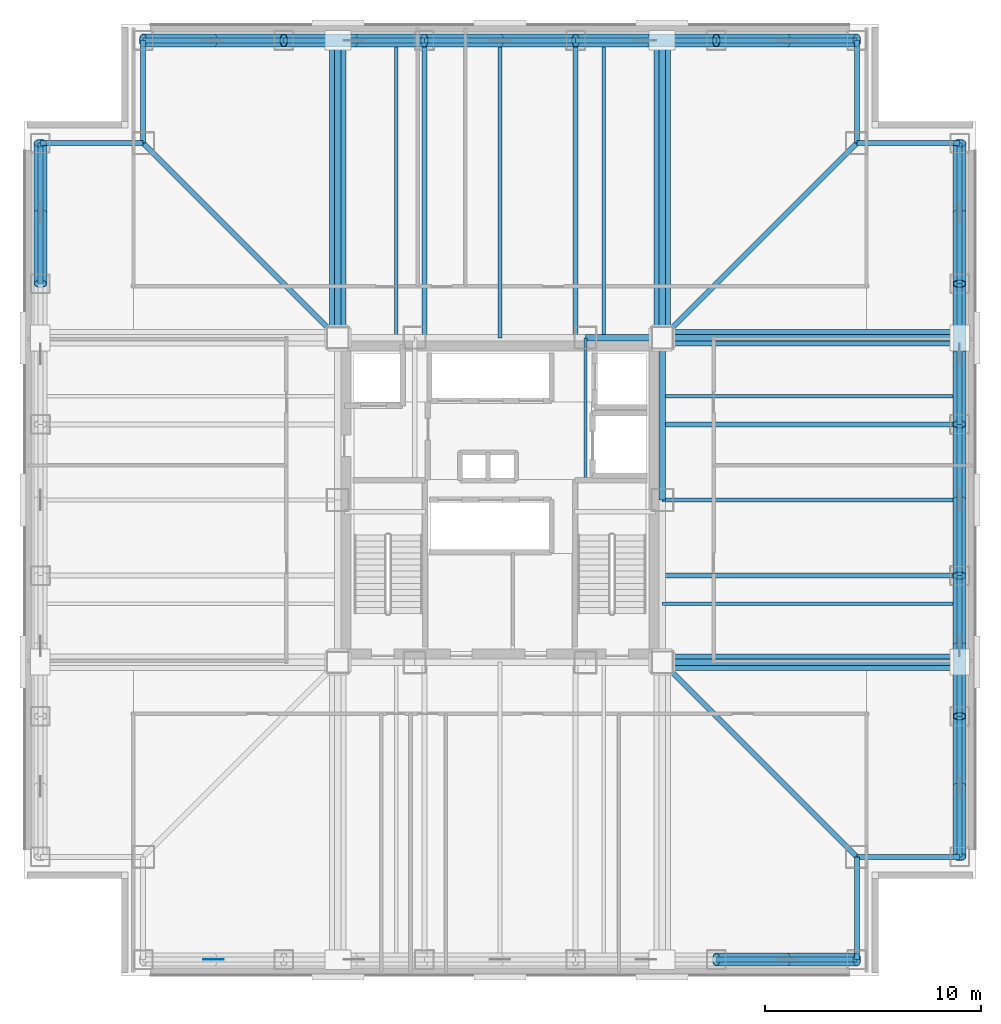
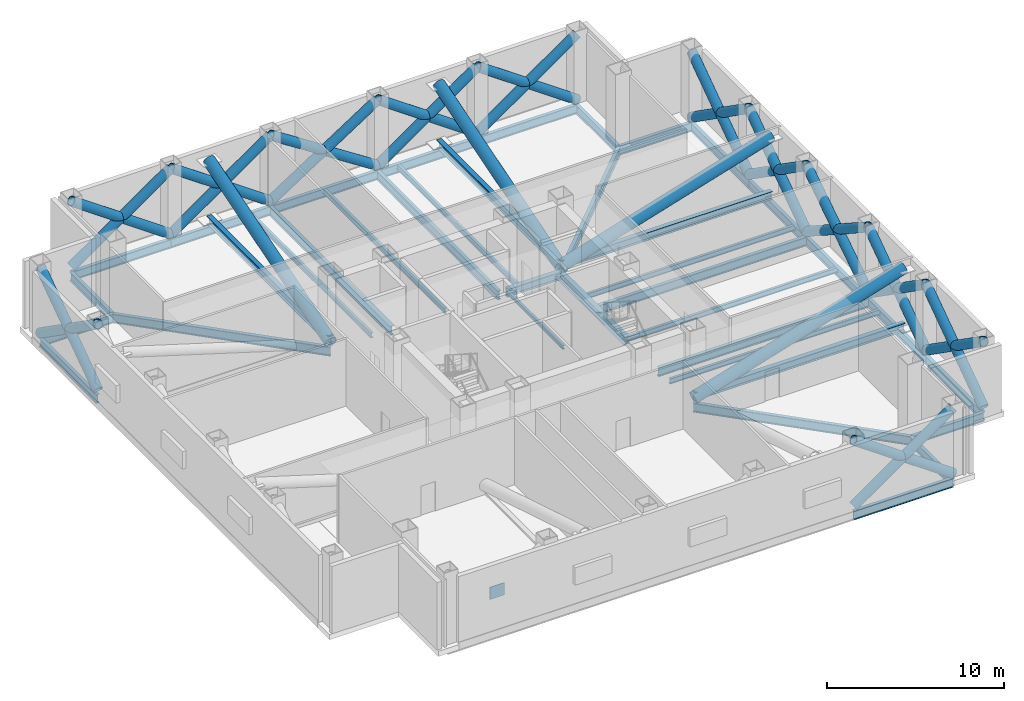
# One storey, part 2 of 8: 44 members, 34 beams, 1 plate.
"""IFC4 building model written with IfcOpenShell, lengths in metres."""

from ifc_helpers import new_model, si_unit, direction, frame, origin, origin_2d, place, context, subcontext, project, spatial, rectangle, hollow_circle, i_section, extrude, material, layer, layer_set, material_profile, profile_set, type_object, element, save


model = new_model("IFC4")

# Units and contexts
model_context = context("Model", 3, precision=1e-05, world=origin(), true_north=direction((0.0, 1.0)))
body_context = subcontext(model_context, "Body", "Model", "MODEL_VIEW")
ifc_project = project(units=[si_unit("LENGTHUNIT", "METRE"), si_unit("AREAUNIT", "SQUARE_METRE"), si_unit("VOLUMEUNIT", "CUBIC_METRE"), si_unit("PLANEANGLEUNIT", "RADIAN"), si_unit("MASSUNIT", "GRAM", prefix="KILO")], contexts=[model_context])

# Site, building, storey
site_placement = place(None, origin())
site = spatial("IfcSite", under=ifc_project, at=site_placement, CompositionType="ELEMENT")
building_placement = place(site_placement, origin())
building = spatial("IfcBuilding", under=site, at=building_placement, Name="Trevonay Congress Spire", CompositionType="ELEMENT")
storey_placement = place(building_placement, frame((0.0, 0.0, 155.199951171875)))
storey = spatial("IfcBuildingStorey", under=building, at=storey_placement, Name="L40", CompositionType="ELEMENT", Elevation=155.199951171875)

# Beams
ifc_material = material(Name="Steel ASTM A572 Grade 50", Category="steel")
ifc_material_profile_1 = material_profile(ifc_material, i_section(OverallWidth=0.31201171875, OverallDepth=0.54296875, WebThickness=0.0126953125, FlangeThickness=0.020263671875, FilletRadius=0.014892578125, at=origin_2d()), Name="W530x150")
ifc_profile_set_1 = profile_set([ifc_material_profile_1], Name="Steel ASTM A572 Grade 50")
beam_type_1 = type_object("IfcBeamType", Name="BM-GIRD-W530X150", PredefinedType="BEAM", material=ifc_profile_set_1)
beam_1_placement = place(storey_placement, frame((3.949951171875, 7.5, -0.621337890625), z_axis=(1.0, 0.0, 0.0), x_axis=(0.0, 1.0, 0.0)))
element("IfcBeam", 1, at=beam_1_placement, inside=storey, type_object=beam_type_1, Name="L40 structural beam BM-L40-CR-N3", PredefinedType="BEAM", context=body_context, shape_type="SweptSolid", body=[
    extrude(i_section(OverallWidth=0.31201171875, OverallDepth=0.54296875, WebThickness=0.0126953125, FlangeThickness=0.020263671875, FilletRadius=0.014892578125, at=origin_2d()), origin(), (0.0, 0.0, 1.0), 3.550048828125),
])
beam_2_placement = place(storey_placement, frame((7.5, 0.0, -0.621337890625), z_axis=(0.0, 1.0, 0.0), x_axis=(-1.0, 0.0, 0.0)))
element("IfcBeam", 2, at=beam_2_placement, inside=storey, type_object=beam_type_1, Name="L40 structural beam BM-L40-CR-E2", PredefinedType="BEAM", context=body_context, shape_type="SweptSolid", body=[
    extrude(i_section(OverallWidth=0.31201171875, OverallDepth=0.54296875, WebThickness=0.0126953125, FlangeThickness=0.020263671875, FilletRadius=0.014892578125, at=origin_2d()), origin(), (0.0, 0.0, 1.0), 7.5),
])
ifc_material_profile_2 = material_profile(ifc_material, i_section(OverallWidth=0.22998046875, OverallDepth=0.616943359375, WebThickness=0.01318359375, FlangeThickness=0.022216796875, FilletRadius=0.01611328125, at=origin_2d()), Name="W610x140")
ifc_profile_set_2 = profile_set([ifc_material_profile_2], Name="Steel ASTM A572 Grade 50")
beam_type_2 = type_object("IfcBeamType", Name="BM-GIRD-W610X140", PredefinedType="BEAM", material=ifc_profile_set_2)
for number, where, z_axis, x_axis, name in (
    (3, (7.5, -7.5, -0.658447265625), (0.707106781187, -0.707106781187, 0.0), (0.707106781187, 0.707106781187, 0.0), "L40 structural beam BM-L40-CDSE"),
    (4, (7.5, 7.5, -0.658447265625), (0.707106781187, 0.707106781187, 0.0), (-0.707106781187, 0.707106781187, 0.0), "L40 structural beam BM-L40-CDNE"),
    (5, (-7.5, 7.5, -0.658447265625), (-0.707106781187, 0.707106781187, 0.0), (-0.707106781187, -0.707106781187, 0.0), "L40 structural beam BM-L40-CDNW"),
):
    element("IfcBeam", number, at=place(storey_placement, frame(where, z_axis=z_axis, x_axis=x_axis)), inside=storey, type_object=beam_type_2, Name=name, PredefinedType="BEAM", context=body_context, shape_type="SweptSolid", body=[
        extrude(i_section(OverallWidth=0.22998046875, OverallDepth=0.616943359375, WebThickness=0.01318359375, FlangeThickness=0.022216796875, FilletRadius=0.01611328125, at=origin_2d()), origin(), (0.0, 0.0, 1.0), 12.72802734375),
    ])
for number, where, z_axis, x_axis, name in (
    (6, (-3.5, 7.5, -0.658447265625), (0.0, 1.0, 0.0), (-1.0, 0.0, 0.0), "L40 structural beam BM-L40-GN-M"),
    (7, (7.5, -3.5, -0.658447265625), (1.0, 0.0, 0.0), (0.0, 1.0, 0.0), "L40 structural beam BM-L40-GE-M"),
    (8, (3.5, 7.5, -0.658447265625), (0.0, 1.0, 0.0), (-1.0, 0.0, 0.0), "L40 structural beam BM-L40-GN-P"),
    (9, (7.5, 3.5, -0.658447265625), (1.0, 0.0, 0.0), (0.0, 1.0, 0.0), "L40 structural beam BM-L40-GE-P"),
):
    element("IfcBeam", number, at=place(storey_placement, frame(where, z_axis=z_axis, x_axis=x_axis)), inside=storey, type_object=beam_type_2, Name=name, PredefinedType="BEAM", context=body_context, shape_type="SweptSolid", body=[
        extrude(i_section(OverallWidth=0.22998046875, OverallDepth=0.616943359375, WebThickness=0.01318359375, FlangeThickness=0.022216796875, FilletRadius=0.01611328125, at=origin_2d()), origin(), (0.0, 0.0, 1.0), 13.75),
    ])
ifc_material_profile_3 = material_profile(ifc_material, i_section(OverallWidth=0.22802734375, OverallDepth=0.60791015625, WebThickness=0.01123046875, FlangeThickness=0.017333984375, FilletRadius=0.01611328125, at=origin_2d()), Name="W610x113")
ifc_profile_set_3 = profile_set([ifc_material_profile_3], Name="Steel ASTM A572 Grade 50")
beam_type_3 = type_object("IfcBeamType", Name="BM-RING-W610X113", PredefinedType="BEAM", material=ifc_profile_set_3)
for number, where, z_axis, x_axis, name in (
    (10, (-16.5, 21.25, -0.654052734375), (1.0, 0.0, 0.0), (0.0, 1.0, 0.0), "L40 structural beam BM-L40-PN1"),
    (11, (21.25, -16.5, -0.654052734375), (0.0, 1.0, 0.0), (-1.0, 0.0, 0.0), "L40 structural beam BM-L40-PE1"),
    (12, (-10.0, 21.25, -0.654052734375), (1.0, 0.0, 0.0), (0.0, 1.0, 0.0), "L40 structural beam BM-L40-PN2"),
    (13, (21.25, -10.0, -0.654052734375), (0.0, 1.0, 0.0), (-1.0, 0.0, 0.0), "L40 structural beam BM-L40-PE2"),
):
    element("IfcBeam", number, at=place(storey_placement, frame(where, z_axis=z_axis, x_axis=x_axis)), inside=storey, type_object=beam_type_3, Name=name, PredefinedType="BEAM", context=body_context, shape_type="SweptSolid", body=[
        extrude(i_section(OverallWidth=0.22802734375, OverallDepth=0.60791015625, WebThickness=0.01123046875, FlangeThickness=0.017333984375, FilletRadius=0.01611328125, at=origin_2d()), origin(), (0.0, 0.0, 1.0), 6.5),
    ])
for number, where, z_axis, x_axis, name in (
    (14, (-3.5, 21.25, -0.654052734375), (1.0, 0.0, 0.0), (0.0, 1.0, 0.0), "L40 structural beam BM-L40-PN3"),
    (15, (21.25, -3.5, -0.654052734375), (0.0, 1.0, 0.0), (-1.0, 0.0, 0.0), "L40 structural beam BM-L40-PE3"),
):
    element("IfcBeam", number, at=place(storey_placement, frame(where, z_axis=z_axis, x_axis=x_axis)), inside=storey, type_object=beam_type_3, Name=name, PredefinedType="BEAM", context=body_context, shape_type="SweptSolid", body=[
        extrude(i_section(OverallWidth=0.22802734375, OverallDepth=0.60791015625, WebThickness=0.01123046875, FlangeThickness=0.017333984375, FilletRadius=0.01611328125, at=origin_2d()), origin(), (0.0, 0.0, 1.0), 7.0),
    ])
for number, where, z_axis, x_axis, name in (
    (16, (3.5, 21.25, -0.654052734375), (1.0, 0.0, 0.0), (0.0, 1.0, 0.0), "L40 structural beam BM-L40-PN4"),
    (17, (21.25, 3.5, -0.654052734375), (0.0, 1.0, 0.0), (-1.0, 0.0, 0.0), "L40 structural beam BM-L40-PE4"),
    (18, (10.0, -21.25, -0.654052734375), (1.0, 0.0, 0.0), (0.0, 1.0, 0.0), "L40 structural beam BM-L40-PS5"),
    (19, (10.0, 21.25, -0.654052734375), (1.0, 0.0, 0.0), (0.0, 1.0, 0.0), "L40 structural beam BM-L40-PN5"),
    (20, (-21.25, 10.0, -0.654052734375), (0.0, 1.0, 0.0), (-1.0, 0.0, 0.0), "L40 structural beam BM-L40-PW5"),
    (21, (21.25, 10.0, -0.654052734375), (0.0, 1.0, 0.0), (-1.0, 0.0, 0.0), "L40 structural beam BM-L40-PE5"),
):
    element("IfcBeam", number, at=place(storey_placement, frame(where, z_axis=z_axis, x_axis=x_axis)), inside=storey, type_object=beam_type_3, Name=name, PredefinedType="BEAM", context=body_context, shape_type="SweptSolid", body=[
        extrude(i_section(OverallWidth=0.22802734375, OverallDepth=0.60791015625, WebThickness=0.01123046875, FlangeThickness=0.017333984375, FilletRadius=0.01611328125, at=origin_2d()), origin(), (0.0, 0.0, 1.0), 6.5),
    ])
for number, where, z_axis, x_axis, name in (
    (22, (16.5, -21.25, -0.654052734375), (0.0, 1.0, 0.0), (-1.0, 0.0, 0.0), "L40 structural beam BM-L40-N1SE"),
    (23, (21.25, -16.5, -0.654052734375), (-1.0, 0.0, 0.0), (0.0, -1.0, 0.0), "L40 structural beam BM-L40-N2SE"),
    (24, (16.5, 21.25, -0.654052734375), (0.0, -1.0, 0.0), (1.0, 0.0, 0.0), "L40 structural beam BM-L40-N1NE"),
    (25, (21.25, 16.5, -0.654052734375), (-1.0, 0.0, 0.0), (0.0, -1.0, 0.0), "L40 structural beam BM-L40-N2NE"),
    (26, (-16.5, 21.25, -0.654052734375), (0.0, -1.0, 0.0), (1.0, 0.0, 0.0), "L40 structural beam BM-L40-N1NW"),
    (27, (-21.25, 16.5, -0.654052734375), (1.0, 0.0, 0.0), (0.0, 1.0, 0.0), "L40 structural beam BM-L40-N2NW"),
):
    element("IfcBeam", number, at=place(storey_placement, frame(where, z_axis=z_axis, x_axis=x_axis)), inside=storey, type_object=beam_type_3, Name=name, PredefinedType="BEAM", context=body_context, shape_type="SweptSolid", body=[
        extrude(i_section(OverallWidth=0.22802734375, OverallDepth=0.60791015625, WebThickness=0.01123046875, FlangeThickness=0.017333984375, FilletRadius=0.01611328125, at=origin_2d()), origin(), (0.0, 0.0, 1.0), 4.75),
    ])
ifc_material_profile_4 = material_profile(ifc_material, i_section(OverallWidth=0.172119140625, OverallDepth=0.35791015625, WebThickness=0.0078125, FlangeThickness=0.01318359375, FilletRadius=0.011962890625, at=origin_2d()), Name="W360x57.8")
ifc_profile_set_4 = profile_set([ifc_material_profile_4], Name="Steel ASTM A572 Grade 50")
beam_type_4 = type_object("IfcBeamType", Name="JS-COMP-W360X57", PredefinedType="JOIST", material=ifc_profile_set_4)
for number, where, z_axis, x_axis, name in (
    (28, (-4.800048828125, 7.5, -0.529052734375), (0.0, 1.0, 0.0), (-1.0, 0.0, 0.0), "L40 structural beam JS-L40-NS-N1"),
    (29, (7.5, -4.800048828125, -0.529052734375), (1.0, 0.0, 0.0), (0.0, 1.0, 0.0), "L40 structural beam JS-L40-EW-E1"),
    (30, (0.0, 7.5, -0.529052734375), (0.0, 1.0, 0.0), (-1.0, 0.0, 0.0), "L40 structural beam JS-L40-NS-N2"),
    (31, (7.5, 0.0, -0.529052734375), (1.0, 0.0, 0.0), (0.0, 1.0, 0.0), "L40 structural beam JS-L40-EW-E2"),
    (32, (4.800048828125, 7.5, -0.529052734375), (0.0, 1.0, 0.0), (-1.0, 0.0, 0.0), "L40 structural beam JS-L40-NS-N3"),
    (33, (7.5, 4.800048828125, -0.529052734375), (1.0, 0.0, 0.0), (0.0, 1.0, 0.0), "L40 structural beam JS-L40-EW-E3"),
):
    element("IfcBeam", number, at=place(storey_placement, frame(where, z_axis=z_axis, x_axis=x_axis)), inside=storey, type_object=beam_type_4, Name=name, PredefinedType="JOIST", context=body_context, shape_type="SweptSolid", body=[
        extrude(i_section(OverallWidth=0.172119140625, OverallDepth=0.35791015625, WebThickness=0.0078125, FlangeThickness=0.01318359375, FilletRadius=0.011962890625, at=origin_2d()), origin(), (0.0, 0.0, 1.0), 13.75),
    ])
ifc_material_profile_5 = material_profile(ifc_material, i_section(OverallWidth=0.14794921875, OverallDepth=0.26611328125, WebThickness=0.007568359375, FlangeThickness=0.012939453125, FilletRadius=0.010009765625, at=origin_2d()), Name="W250x44.8")
ifc_profile_set_5 = profile_set([ifc_material_profile_5], Name="Steel ASTM A572 Grade 50")
beam_type_5 = type_object("IfcBeamType", Name="LN-DOOR-W250X45", PredefinedType="LINTEL", material=ifc_profile_set_5)
beam_3_placement = place(storey_placement, frame((3.949951171875, 1.0, -0.48291015625), z_axis=(0.0, 1.0, 0.0), x_axis=(-1.0, 0.0, 0.0)))
element("IfcBeam", 34, at=beam_3_placement, inside=storey, type_object=beam_type_5, Name="L40 structural beam LIN-L40-E", PredefinedType="LINTEL", context=body_context, shape_type="SweptSolid", body=[
    extrude(i_section(OverallWidth=0.14794921875, OverallDepth=0.26611328125, WebThickness=0.007568359375, FlangeThickness=0.012939453125, FilletRadius=0.010009765625, at=origin_2d()), origin(), (0.0, 0.0, 1.0), 6.5),
])

# Members
ifc_material_profile_6 = material_profile(ifc_material, i_section(OverallWidth=0.31201171875, OverallDepth=0.54296875, WebThickness=0.0126953125, FlangeThickness=0.020263671875, FilletRadius=0.014892578125, at=origin_2d()), Name="W530x150")
ifc_profile_set_6 = profile_set([ifc_material_profile_6], Name="Steel ASTM A572 Grade 50")
member_type_1 = type_object("IfcMemberType", Name="MBR-CHORD-HSS500", PredefinedType="CHORD", material=ifc_profile_set_6)
for number, where, z_axis, x_axis, name in (
    (35, (-7.5, 7.5, 0.10009765625), (0.0, 1.0, 0.0), (-1.0, 0.0, 0.0), "L40 outrigger bottom chord ON-W"),
    (36, (7.5, 7.5, 0.10009765625), (0.0, 1.0, 0.0), (-1.0, 0.0, 0.0), "L40 outrigger bottom chord ON-E"),
    (37, (7.5, -7.5, 0.10009765625), (1.0, 0.0, 0.0), (0.0, 1.0, 0.0), "L40 outrigger bottom chord OE-S"),
    (38, (7.5, 7.5, 0.10009765625), (1.0, 0.0, 0.0), (0.0, 1.0, 0.0), "L40 outrigger bottom chord OE-N"),
):
    element("IfcMember", number, at=place(storey_placement, frame(where, z_axis=z_axis, x_axis=x_axis)), inside=storey, type_object=member_type_1, Name=name, PredefinedType="CHORD", context=body_context, shape_type="SweptSolid", body=[
        extrude(i_section(OverallWidth=0.31201171875, OverallDepth=0.54296875, WebThickness=0.0126953125, FlangeThickness=0.020263671875, FilletRadius=0.014892578125, at=origin_2d()), origin(), (0.0, 0.0, 1.0), 13.75),
    ])
ifc_material_profile_7 = material_profile(ifc_material, hollow_circle(Radius=0.381103515625, WallThickness=0.0400390625, at=origin_2d()), Name="CHS 762x40")
ifc_profile_set_7 = profile_set([ifc_material_profile_7], Name="Steel ASTM A572 Grade 50")
member_type_2 = type_object("IfcMemberType", Name="MBR-OUTRIG-CHS762", PredefinedType="BRACE", material=ifc_profile_set_7)
for number, where, z_axis, x_axis, name in (
    (39, (-7.5, 7.5, -0.050048828125), (0.0, 0.956374768731, 0.292142605136), (-1.0, 0.0, 0.0), "L40 outrigger diagonal ON-W"),
    (40, (7.5, 7.5, -0.050048828125), (0.0, 0.956374768731, 0.292142605136), (-1.0, 0.0, 0.0), "L40 outrigger diagonal ON-E"),
    (41, (7.5, -7.5, -0.050048828125), (0.956374768731, 0.0, 0.292142605136), (0.0, 1.0, 0.0), "L40 outrigger diagonal OE-S"),
    (42, (7.5, 7.5, -0.050048828125), (0.956374768731, 0.0, 0.292142605136), (0.0, 1.0, 0.0), "L40 outrigger diagonal OE-N"),
):
    element("IfcMember", number, at=place(storey_placement, frame(where, z_axis=z_axis, x_axis=x_axis)), inside=storey, type_object=member_type_2, Name=name, PredefinedType="BRACE", context=body_context, shape_type="SweptSolid", body=[
        extrude(hollow_circle(Radius=0.381103515625, WallThickness=0.0400390625, at=origin_2d()), origin(), (0.0, 0.0, 1.0), 14.377197265625),
    ])
ifc_material_profile_8 = material_profile(ifc_material, hollow_circle(Radius=0.304931640625, WallThickness=0.031982421875, at=origin_2d()), Name="CHS 610x32")
ifc_profile_set_8 = profile_set([ifc_material_profile_8], Name="Steel ASTM A572 Grade 50")
member_type_3 = type_object("IfcMemberType", Name="MBR-TUBE-CHS610", PredefinedType="BRACE", material=ifc_profile_set_8)
member_1_placement = place(storey_placement, frame((10.0, -21.25, -0.050048828125), z_axis=(0.819229029338, 0.0, 0.5734664746), x_axis=(0.0, 1.0, 0.0)))
element("IfcMember", 43, at=member_1_placement, inside=storey, type_object=member_type_3, Name="L40 continuous belt truss diagonal S4-1", PredefinedType="BRACE", context=body_context, shape_type="SweptSolid", body=[
    extrude(hollow_circle(Radius=0.304931640625, WallThickness=0.031982421875, at=origin_2d()), origin(), (0.0, 0.0, 1.0), 7.934326171875),
])
member_2_placement = place(storey_placement, frame((10.0, -21.25, 4.5), z_axis=(0.819243485241, 0.0, -0.573445822977), x_axis=(0.0, 1.0, 0.0)))
element("IfcMember", 44, at=member_2_placement, inside=storey, type_object=member_type_3, Name="L40 split belt truss diagonal segment S4-2A", PredefinedType="BRACE", context=body_context, shape_type="SweptSolid", body=[
    extrude(hollow_circle(Radius=0.304931640625, WallThickness=0.031982421875, at=origin_2d()), origin(), (0.0, 0.0, 1.0), 3.967041015625),
])
member_3_placement = place(storey_placement, frame((13.25, -21.25, 2.22509765625), z_axis=(0.819214573424, 0.0, -0.57348712513), x_axis=(0.0, 1.0, 0.0)))
element("IfcMember", 45, at=member_3_placement, inside=storey, type_object=member_type_3, Name="L40 split belt truss diagonal segment S4-2B", PredefinedType="BRACE", context=body_context, shape_type="SweptSolid", body=[
    extrude(hollow_circle(Radius=0.304931640625, WallThickness=0.031982421875, at=origin_2d()), origin(), (0.0, 0.0, 1.0), 3.96728515625),
])
member_4_placement = place(storey_placement, frame((-16.5, 21.25, -0.050048828125), z_axis=(0.819229029338, 0.0, 0.5734664746), x_axis=(0.0, 1.0, 0.0)))
element("IfcMember", 46, at=member_4_placement, inside=storey, type_object=member_type_3, Name="L40 continuous belt truss diagonal N0-1", PredefinedType="BRACE", context=body_context, shape_type="SweptSolid", body=[
    extrude(hollow_circle(Radius=0.304931640625, WallThickness=0.031982421875, at=origin_2d()), origin(), (0.0, 0.0, 1.0), 7.934326171875),
])
member_5_placement = place(storey_placement, frame((-16.5, 21.25, 4.5), z_axis=(0.819243485241, 0.0, -0.573445822977), x_axis=(0.0, 1.0, 0.0)))
element("IfcMember", 47, at=member_5_placement, inside=storey, type_object=member_type_3, Name="L40 split belt truss diagonal segment N0-2A", PredefinedType="BRACE", context=body_context, shape_type="SweptSolid", body=[
    extrude(hollow_circle(Radius=0.304931640625, WallThickness=0.031982421875, at=origin_2d()), origin(), (0.0, 0.0, 1.0), 3.967041015625),
])
member_6_placement = place(storey_placement, frame((-13.25, 21.25, 2.22509765625), z_axis=(0.819214573424, 0.0, -0.57348712513), x_axis=(0.0, 1.0, 0.0)))
element("IfcMember", 48, at=member_6_placement, inside=storey, type_object=member_type_3, Name="L40 split belt truss diagonal segment N0-2B", PredefinedType="BRACE", context=body_context, shape_type="SweptSolid", body=[
    extrude(hollow_circle(Radius=0.304931640625, WallThickness=0.031982421875, at=origin_2d()), origin(), (0.0, 0.0, 1.0), 3.96728515625),
])
member_7_placement = place(storey_placement, frame((-10.0, 21.25, -0.050048828125), z_axis=(0.819229029338, 0.0, 0.5734664746), x_axis=(0.0, 1.0, 0.0)))
element("IfcMember", 49, at=member_7_placement, inside=storey, type_object=member_type_3, Name="L40 continuous belt truss diagonal N1-1", PredefinedType="BRACE", context=body_context, shape_type="SweptSolid", body=[
    extrude(hollow_circle(Radius=0.304931640625, WallThickness=0.031982421875, at=origin_2d()), origin(), (0.0, 0.0, 1.0), 7.934326171875),
])
member_8_placement = place(storey_placement, frame((-10.0, 21.25, 4.5), z_axis=(0.819243485241, 0.0, -0.573445822977), x_axis=(0.0, 1.0, 0.0)))
element("IfcMember", 50, at=member_8_placement, inside=storey, type_object=member_type_3, Name="L40 split belt truss diagonal segment N1-2A", PredefinedType="BRACE", context=body_context, shape_type="SweptSolid", body=[
    extrude(hollow_circle(Radius=0.304931640625, WallThickness=0.031982421875, at=origin_2d()), origin(), (0.0, 0.0, 1.0), 3.967041015625),
])
member_9_placement = place(storey_placement, frame((-6.75, 21.25, 2.22509765625), z_axis=(0.819214573424, 0.0, -0.57348712513), x_axis=(0.0, 1.0, 0.0)))
element("IfcMember", 51, at=member_9_placement, inside=storey, type_object=member_type_3, Name="L40 split belt truss diagonal segment N1-2B", PredefinedType="BRACE", context=body_context, shape_type="SweptSolid", body=[
    extrude(hollow_circle(Radius=0.304931640625, WallThickness=0.031982421875, at=origin_2d()), origin(), (0.0, 0.0, 1.0), 3.96728515625),
])
member_10_placement = place(storey_placement, frame((-3.5, 21.25, -0.050048828125), z_axis=(0.838440943865, 0.0, 0.544992462012), x_axis=(0.0, 1.0, 0.0)))
element("IfcMember", 52, at=member_10_placement, inside=storey, type_object=member_type_3, Name="L40 continuous belt truss diagonal N2-1", PredefinedType="BRACE", context=body_context, shape_type="SweptSolid", body=[
    extrude(hollow_circle(Radius=0.304931640625, WallThickness=0.031982421875, at=origin_2d()), origin(), (0.0, 0.0, 1.0), 8.348876953125),
])
member_11_placement = place(storey_placement, frame((-3.5, 21.25, 4.5), z_axis=(0.838454306011, 0.0, -0.544971904535), x_axis=(0.0, 1.0, 0.0)))
element("IfcMember", 53, at=member_11_placement, inside=storey, type_object=member_type_3, Name="L40 split belt truss diagonal segment N2-2A", PredefinedType="BRACE", context=body_context, shape_type="SweptSolid", body=[
    extrude(hollow_circle(Radius=0.304931640625, WallThickness=0.031982421875, at=origin_2d()), origin(), (0.0, 0.0, 1.0), 4.17431640625),
])
member_12_placement = place(storey_placement, frame((0.0, 21.25, 2.22509765625), z_axis=(0.838427581642, 0.0, -0.545013018507), x_axis=(0.0, 1.0, 0.0)))
element("IfcMember", 54, at=member_12_placement, inside=storey, type_object=member_type_3, Name="L40 split belt truss diagonal segment N2-2B", PredefinedType="BRACE", context=body_context, shape_type="SweptSolid", body=[
    extrude(hollow_circle(Radius=0.304931640625, WallThickness=0.031982421875, at=origin_2d()), origin(), (0.0, 0.0, 1.0), 4.174560546875),
])
member_13_placement = place(storey_placement, frame((3.5, 21.25, -0.050048828125), z_axis=(0.819229029338, 0.0, 0.5734664746), x_axis=(0.0, 1.0, 0.0)))
element("IfcMember", 55, at=member_13_placement, inside=storey, type_object=member_type_3, Name="L40 continuous belt truss diagonal N3-1", PredefinedType="BRACE", context=body_context, shape_type="SweptSolid", body=[
    extrude(hollow_circle(Radius=0.304931640625, WallThickness=0.031982421875, at=origin_2d()), origin(), (0.0, 0.0, 1.0), 7.934326171875),
])
member_14_placement = place(storey_placement, frame((3.5, 21.25, 4.5), z_axis=(0.819243485241, 0.0, -0.573445822977), x_axis=(0.0, 1.0, 0.0)))
element("IfcMember", 56, at=member_14_placement, inside=storey, type_object=member_type_3, Name="L40 split belt truss diagonal segment N3-2A", PredefinedType="BRACE", context=body_context, shape_type="SweptSolid", body=[
    extrude(hollow_circle(Radius=0.304931640625, WallThickness=0.031982421875, at=origin_2d()), origin(), (0.0, 0.0, 1.0), 3.967041015625),
])
member_15_placement = place(storey_placement, frame((6.75, 21.25, 2.22509765625), z_axis=(0.819214573424, 0.0, -0.57348712513), x_axis=(0.0, 1.0, 0.0)))
element("IfcMember", 57, at=member_15_placement, inside=storey, type_object=member_type_3, Name="L40 split belt truss diagonal segment N3-2B", PredefinedType="BRACE", context=body_context, shape_type="SweptSolid", body=[
    extrude(hollow_circle(Radius=0.304931640625, WallThickness=0.031982421875, at=origin_2d()), origin(), (0.0, 0.0, 1.0), 3.96728515625),
])
member_16_placement = place(storey_placement, frame((10.0, 21.25, -0.050048828125), z_axis=(0.819229029338, 0.0, 0.5734664746), x_axis=(0.0, 1.0, 0.0)))
element("IfcMember", 58, at=member_16_placement, inside=storey, type_object=member_type_3, Name="L40 continuous belt truss diagonal N4-1", PredefinedType="BRACE", context=body_context, shape_type="SweptSolid", body=[
    extrude(hollow_circle(Radius=0.304931640625, WallThickness=0.031982421875, at=origin_2d()), origin(), (0.0, 0.0, 1.0), 7.934326171875),
])
member_17_placement = place(storey_placement, frame((10.0, 21.25, 4.5), z_axis=(0.819243485241, 0.0, -0.573445822977), x_axis=(0.0, 1.0, 0.0)))
element("IfcMember", 59, at=member_17_placement, inside=storey, type_object=member_type_3, Name="L40 split belt truss diagonal segment N4-2A", PredefinedType="BRACE", context=body_context, shape_type="SweptSolid", body=[
    extrude(hollow_circle(Radius=0.304931640625, WallThickness=0.031982421875, at=origin_2d()), origin(), (0.0, 0.0, 1.0), 3.967041015625),
])
member_18_placement = place(storey_placement, frame((13.25, 21.25, 2.22509765625), z_axis=(0.819214573424, 0.0, -0.57348712513), x_axis=(0.0, 1.0, 0.0)))
element("IfcMember", 60, at=member_18_placement, inside=storey, type_object=member_type_3, Name="L40 split belt truss diagonal segment N4-2B", PredefinedType="BRACE", context=body_context, shape_type="SweptSolid", body=[
    extrude(hollow_circle(Radius=0.304931640625, WallThickness=0.031982421875, at=origin_2d()), origin(), (0.0, 0.0, 1.0), 3.96728515625),
])
member_19_placement = place(storey_placement, frame((-21.25, 10.0, -0.050048828125), z_axis=(0.0, 0.819229029338, 0.5734664746), x_axis=(-1.0, 0.0, 0.0)))
element("IfcMember", 61, at=member_19_placement, inside=storey, type_object=member_type_3, Name="L40 continuous belt truss diagonal W4-1", PredefinedType="BRACE", context=body_context, shape_type="SweptSolid", body=[
    extrude(hollow_circle(Radius=0.304931640625, WallThickness=0.031982421875, at=origin_2d()), origin(), (0.0, 0.0, 1.0), 7.934326171875),
])
member_20_placement = place(storey_placement, frame((-21.25, 10.0, 4.5), z_axis=(0.0, 0.819243485241, -0.573445822977), x_axis=(-1.0, 0.0, 0.0)))
element("IfcMember", 62, at=member_20_placement, inside=storey, type_object=member_type_3, Name="L40 split belt truss diagonal segment W4-2A", PredefinedType="BRACE", context=body_context, shape_type="SweptSolid", body=[
    extrude(hollow_circle(Radius=0.304931640625, WallThickness=0.031982421875, at=origin_2d()), origin(), (0.0, 0.0, 1.0), 3.967041015625),
])
member_21_placement = place(storey_placement, frame((-21.25, 13.25, 2.22509765625), z_axis=(0.0, 0.819214573424, -0.57348712513), x_axis=(-1.0, 0.0, 0.0)))
element("IfcMember", 63, at=member_21_placement, inside=storey, type_object=member_type_3, Name="L40 split belt truss diagonal segment W4-2B", PredefinedType="BRACE", context=body_context, shape_type="SweptSolid", body=[
    extrude(hollow_circle(Radius=0.304931640625, WallThickness=0.031982421875, at=origin_2d()), origin(), (0.0, 0.0, 1.0), 3.96728515625),
])
member_22_placement = place(storey_placement, frame((21.25, -16.5, -0.050048828125), z_axis=(0.0, 0.819229029338, 0.5734664746), x_axis=(-1.0, 0.0, 0.0)))
element("IfcMember", 64, at=member_22_placement, inside=storey, type_object=member_type_3, Name="L40 continuous belt truss diagonal E0-1", PredefinedType="BRACE", context=body_context, shape_type="SweptSolid", body=[
    extrude(hollow_circle(Radius=0.304931640625, WallThickness=0.031982421875, at=origin_2d()), origin(), (0.0, 0.0, 1.0), 7.934326171875),
])
member_23_placement = place(storey_placement, frame((21.25, -16.5, 4.5), z_axis=(0.0, 0.819243485241, -0.573445822977), x_axis=(-1.0, 0.0, 0.0)))
element("IfcMember", 65, at=member_23_placement, inside=storey, type_object=member_type_3, Name="L40 split belt truss diagonal segment E0-2A", PredefinedType="BRACE", context=body_context, shape_type="SweptSolid", body=[
    extrude(hollow_circle(Radius=0.304931640625, WallThickness=0.031982421875, at=origin_2d()), origin(), (0.0, 0.0, 1.0), 3.967041015625),
])
member_24_placement = place(storey_placement, frame((21.25, -13.25, 2.22509765625), z_axis=(0.0, 0.819214573424, -0.57348712513), x_axis=(-1.0, 0.0, 0.0)))
element("IfcMember", 66, at=member_24_placement, inside=storey, type_object=member_type_3, Name="L40 split belt truss diagonal segment E0-2B", PredefinedType="BRACE", context=body_context, shape_type="SweptSolid", body=[
    extrude(hollow_circle(Radius=0.304931640625, WallThickness=0.031982421875, at=origin_2d()), origin(), (0.0, 0.0, 1.0), 3.96728515625),
])
member_25_placement = place(storey_placement, frame((21.25, -10.0, -0.050048828125), z_axis=(0.0, 0.819229029338, 0.5734664746), x_axis=(-1.0, 0.0, 0.0)))
element("IfcMember", 67, at=member_25_placement, inside=storey, type_object=member_type_3, Name="L40 continuous belt truss diagonal E1-1", PredefinedType="BRACE", context=body_context, shape_type="SweptSolid", body=[
    extrude(hollow_circle(Radius=0.304931640625, WallThickness=0.031982421875, at=origin_2d()), origin(), (0.0, 0.0, 1.0), 7.934326171875),
])
member_26_placement = place(storey_placement, frame((21.25, -10.0, 4.5), z_axis=(0.0, 0.819243485241, -0.573445822977), x_axis=(-1.0, 0.0, 0.0)))
element("IfcMember", 68, at=member_26_placement, inside=storey, type_object=member_type_3, Name="L40 split belt truss diagonal segment E1-2A", PredefinedType="BRACE", context=body_context, shape_type="SweptSolid", body=[
    extrude(hollow_circle(Radius=0.304931640625, WallThickness=0.031982421875, at=origin_2d()), origin(), (0.0, 0.0, 1.0), 3.967041015625),
])
member_27_placement = place(storey_placement, frame((21.25, -6.75, 2.22509765625), z_axis=(0.0, 0.819214573424, -0.57348712513), x_axis=(-1.0, 0.0, 0.0)))
element("IfcMember", 69, at=member_27_placement, inside=storey, type_object=member_type_3, Name="L40 split belt truss diagonal segment E1-2B", PredefinedType="BRACE", context=body_context, shape_type="SweptSolid", body=[
    extrude(hollow_circle(Radius=0.304931640625, WallThickness=0.031982421875, at=origin_2d()), origin(), (0.0, 0.0, 1.0), 3.96728515625),
])
member_28_placement = place(storey_placement, frame((21.25, -3.5, -0.050048828125), z_axis=(0.0, 0.838440943865, 0.544992462012), x_axis=(-1.0, 0.0, 0.0)))
element("IfcMember", 70, at=member_28_placement, inside=storey, type_object=member_type_3, Name="L40 continuous belt truss diagonal E2-1", PredefinedType="BRACE", context=body_context, shape_type="SweptSolid", body=[
    extrude(hollow_circle(Radius=0.304931640625, WallThickness=0.031982421875, at=origin_2d()), origin(), (0.0, 0.0, 1.0), 8.348876953125),
])
member_29_placement = place(storey_placement, frame((21.25, -3.5, 4.5), z_axis=(0.0, 0.838454306011, -0.544971904535), x_axis=(-1.0, 0.0, 0.0)))
element("IfcMember", 71, at=member_29_placement, inside=storey, type_object=member_type_3, Name="L40 split belt truss diagonal segment E2-2A", PredefinedType="BRACE", context=body_context, shape_type="SweptSolid", body=[
    extrude(hollow_circle(Radius=0.304931640625, WallThickness=0.031982421875, at=origin_2d()), origin(), (0.0, 0.0, 1.0), 4.17431640625),
])
member_30_placement = place(storey_placement, frame((21.25, 0.0, 2.22509765625), z_axis=(0.0, 0.838427581642, -0.545013018507), x_axis=(-1.0, 0.0, 0.0)))
element("IfcMember", 72, at=member_30_placement, inside=storey, type_object=member_type_3, Name="L40 split belt truss diagonal segment E2-2B", PredefinedType="BRACE", context=body_context, shape_type="SweptSolid", body=[
    extrude(hollow_circle(Radius=0.304931640625, WallThickness=0.031982421875, at=origin_2d()), origin(), (0.0, 0.0, 1.0), 4.174560546875),
])
member_31_placement = place(storey_placement, frame((21.25, 3.5, -0.050048828125), z_axis=(0.0, 0.819229029338, 0.5734664746), x_axis=(-1.0, 0.0, 0.0)))
element("IfcMember", 73, at=member_31_placement, inside=storey, type_object=member_type_3, Name="L40 continuous belt truss diagonal E3-1", PredefinedType="BRACE", context=body_context, shape_type="SweptSolid", body=[
    extrude(hollow_circle(Radius=0.304931640625, WallThickness=0.031982421875, at=origin_2d()), origin(), (0.0, 0.0, 1.0), 7.934326171875),
])
member_32_placement = place(storey_placement, frame((21.25, 3.5, 4.5), z_axis=(0.0, 0.819243485241, -0.573445822977), x_axis=(-1.0, 0.0, 0.0)))
element("IfcMember", 74, at=member_32_placement, inside=storey, type_object=member_type_3, Name="L40 split belt truss diagonal segment E3-2A", PredefinedType="BRACE", context=body_context, shape_type="SweptSolid", body=[
    extrude(hollow_circle(Radius=0.304931640625, WallThickness=0.031982421875, at=origin_2d()), origin(), (0.0, 0.0, 1.0), 3.967041015625),
])
member_33_placement = place(storey_placement, frame((21.25, 6.75, 2.22509765625), z_axis=(0.0, 0.819214573424, -0.57348712513), x_axis=(-1.0, 0.0, 0.0)))
element("IfcMember", 75, at=member_33_placement, inside=storey, type_object=member_type_3, Name="L40 split belt truss diagonal segment E3-2B", PredefinedType="BRACE", context=body_context, shape_type="SweptSolid", body=[
    extrude(hollow_circle(Radius=0.304931640625, WallThickness=0.031982421875, at=origin_2d()), origin(), (0.0, 0.0, 1.0), 3.96728515625),
])
member_34_placement = place(storey_placement, frame((21.25, 10.0, -0.050048828125), z_axis=(0.0, 0.819229029338, 0.5734664746), x_axis=(-1.0, 0.0, 0.0)))
element("IfcMember", 76, at=member_34_placement, inside=storey, type_object=member_type_3, Name="L40 continuous belt truss diagonal E4-1", PredefinedType="BRACE", context=body_context, shape_type="SweptSolid", body=[
    extrude(hollow_circle(Radius=0.304931640625, WallThickness=0.031982421875, at=origin_2d()), origin(), (0.0, 0.0, 1.0), 7.934326171875),
])
member_35_placement = place(storey_placement, frame((21.25, 10.0, 4.5), z_axis=(0.0, 0.819243485241, -0.573445822977), x_axis=(-1.0, 0.0, 0.0)))
element("IfcMember", 77, at=member_35_placement, inside=storey, type_object=member_type_3, Name="L40 split belt truss diagonal segment E4-2A", PredefinedType="BRACE", context=body_context, shape_type="SweptSolid", body=[
    extrude(hollow_circle(Radius=0.304931640625, WallThickness=0.031982421875, at=origin_2d()), origin(), (0.0, 0.0, 1.0), 3.967041015625),
])
member_36_placement = place(storey_placement, frame((21.25, 13.25, 2.22509765625), z_axis=(0.0, 0.819214573424, -0.57348712513), x_axis=(-1.0, 0.0, 0.0)))
element("IfcMember", 78, at=member_36_placement, inside=storey, type_object=member_type_3, Name="L40 split belt truss diagonal segment E4-2B", PredefinedType="BRACE", context=body_context, shape_type="SweptSolid", body=[
    extrude(hollow_circle(Radius=0.304931640625, WallThickness=0.031982421875, at=origin_2d()), origin(), (0.0, 0.0, 1.0), 3.96728515625),
])

# Plate
ifc_layer = layer(ifc_material, 0.034912109375, Name="Steel ASTM A572 Grade 50")
ifc_layer_set = layer_set([ifc_layer], Name="Steel ASTM A572 Grade 50")
plate_type = type_object("IfcPlateType", Name="PLT-GUSSET-BELT-35", PredefinedType="USERDEFINED", material=ifc_layer_set)
plate_placement = place(storey_placement, frame((-13.25, -21.25, 1.800048828125), z_axis=(0.0, 0.0, 1.0), x_axis=(1.0, 0.0, 0.0)))
element("IfcPlate", 79, at=plate_placement, inside=storey, type_object=plate_type, Name="L40 belt X-brace crossing gusset plate XN-01 S0", ObjectType="GUSSET_PLATE", PredefinedType="USERDEFINED", context=body_context, shape_type="SweptSolid", body=[
    extrude(rectangle(XDim=0.949951171875, YDim=0.034912109375, at=origin_2d()), origin(), (0.0, 0.0, 1.0), 0.85009765625),
])

save(model, "model.ifc")
